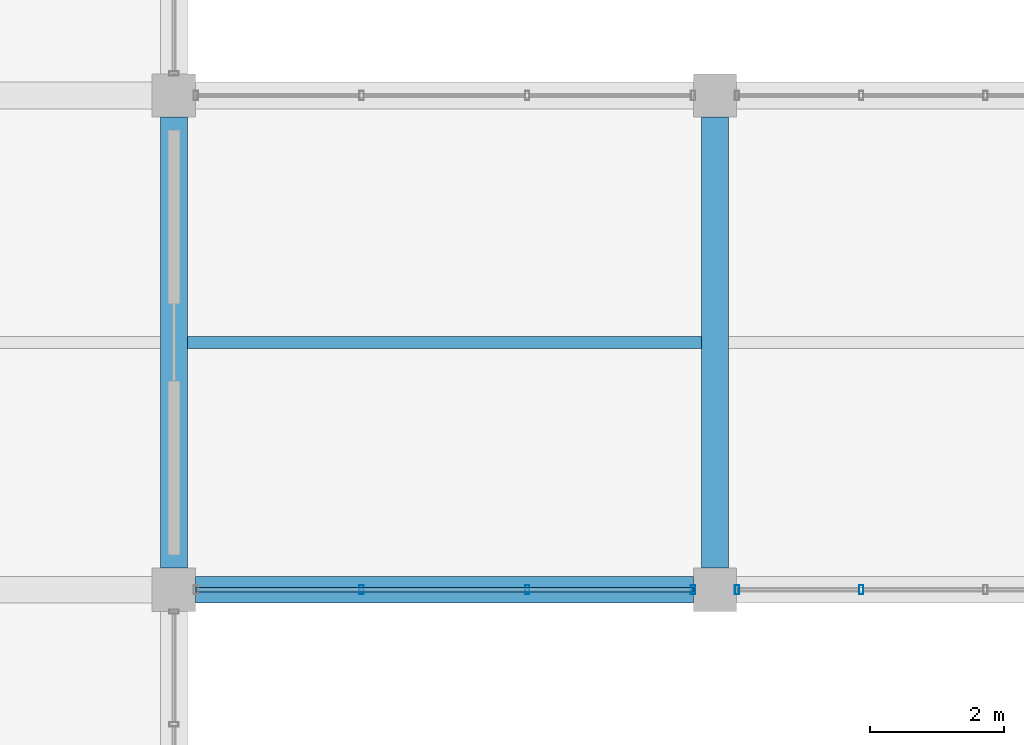
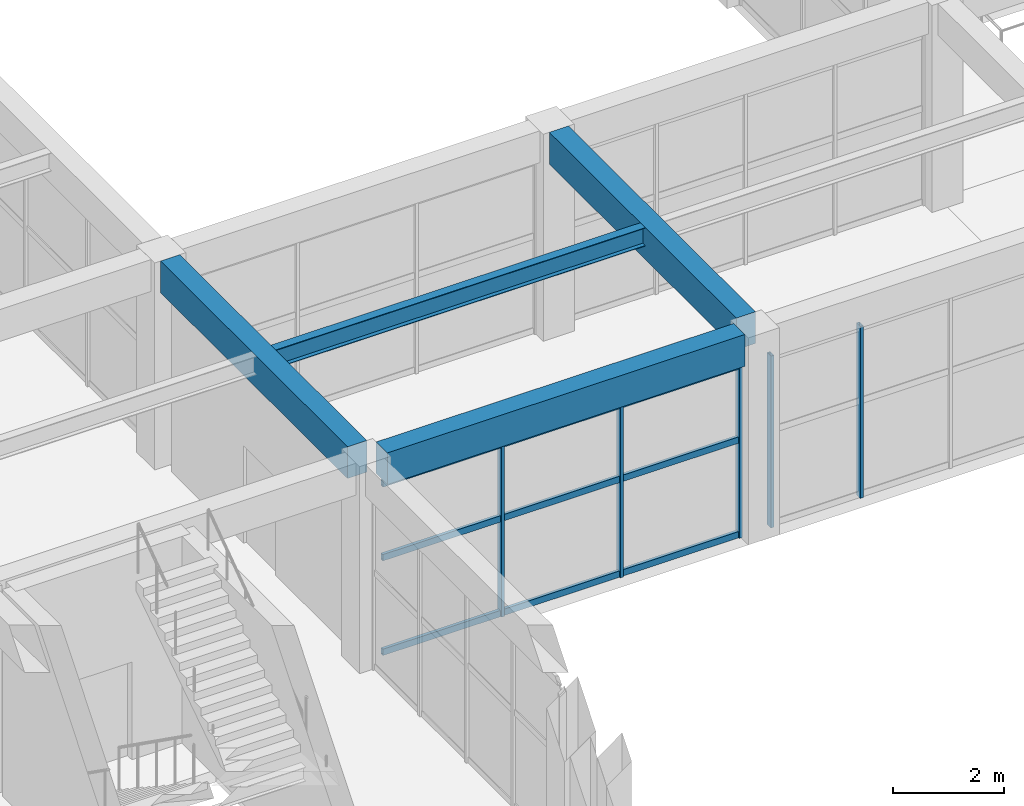
# One storey, part 114 of 161: 8 members, 4 beams, 2 elements without a shape of their own.
"""IFC4 building model written with IfcOpenShell, lengths in metres."""

from ifc_helpers import new_model, si_unit, direction, frame, origin, origin_2d, place, context, subcontext, project, spatial, rectangle, hollow_rectangle, i_section, extrude, material, material_profile, profile_set, type_object, element, aggregate, save


model = new_model("IFC4")

# Units and contexts
model_context = context("Model", 3, precision=1e-05, world=origin(), true_north=direction((0.0, 1.0)))
body_context = subcontext(model_context, "Body", "Model", "MODEL_VIEW")
ifc_project = project(units=[si_unit("LENGTHUNIT", "METRE"), si_unit("AREAUNIT", "SQUARE_METRE"), si_unit("VOLUMEUNIT", "CUBIC_METRE"), si_unit("PLANEANGLEUNIT", "RADIAN"), si_unit("MASSUNIT", "GRAM", prefix="KILO")], contexts=[model_context])

# Site, building, storey
site_placement = place(None, origin())
site = spatial("IfcSite", under=ifc_project, at=site_placement, CompositionType="ELEMENT")
building_placement = place(site_placement, origin())
building = spatial("IfcBuilding", under=site, at=building_placement, Name="Cimatlan Art Gallery", CompositionType="ELEMENT")
storey_placement = place(building_placement, frame((0.0, 0.0, 5.39990234375)))
storey = spatial("IfcBuildingStorey", under=building, at=storey_placement, Name="L01", CompositionType="ELEMENT", Elevation=5.39990234375)

# Beams
ifc_material_1 = material(Name="Concrete C40/50", Category="concrete")
ifc_material_profile_1 = material_profile(ifc_material_1, rectangle(XDim=0.39990234375, YDim=0.699951171875, at=origin_2d()), Name="RC400X700")
ifc_profile_set_1 = profile_set([ifc_material_profile_1], Name="Concrete C40/50")
beam_type_1 = type_object("IfcBeamType", Name="BM-RC-400X700", PredefinedType="BEAM", material=ifc_profile_set_1)
for number, where, z_axis, x_axis, name in (
    (1, (131.60009765625, 53.824951171875, 4.210205078125), (0.0, 1.0, 0.0), (-1.0, 0.0, 0.0), "BM-Y-L01-16-07"),
    (2, (139.699951171875, 53.824951171875, 4.210205078125), (0.0, 1.0, 0.0), (-1.0, 0.0, 0.0), "BM-Y-L01-17-07"),
):
    element("IfcBeam", number, at=place(storey_placement, frame(where, z_axis=z_axis, x_axis=x_axis)), inside=storey, type_object=beam_type_1, Name=name, PredefinedType="BEAM", context=body_context, shape_type="SweptSolid", body=[
        extrude(rectangle(XDim=0.39990234375, YDim=0.699951171875, at=origin_2d()), origin(), (0.0, 0.0, 1.0), 6.75),
    ])
beam_1_placement = place(storey_placement, frame((131.925048828125, 53.5, 4.210205078125), z_axis=(1.0, 0.0, 0.0), x_axis=(0.0, 1.0, 0.0)))
element("IfcBeam", 3, at=beam_1_placement, inside=storey, type_object=beam_type_1, Name="BM-X-L01-16-07", PredefinedType="BEAM", context=body_context, shape_type="SweptSolid", body=[
    extrude(rectangle(XDim=0.39990234375, YDim=0.699951171875, at=origin_2d()), origin(), (0.0, 0.0, 1.0), 7.449951171875),
])
ifc_material_2 = material(Name="Steel ASTM A992 Grade 50", Category="steel")
ifc_material_profile_2 = material_profile(ifc_material_2, i_section(OverallWidth=0.177978515625, OverallDepth=0.406982421875, WebThickness=0.0078125, FlangeThickness=0.0126953125, at=origin_2d()), Name="W16X40")
ifc_profile_set_2 = profile_set([ifc_material_profile_2], Name="Steel ASTM A992 Grade 50")
beam_type_2 = type_object("IfcBeamType", Name="BM-STL-W16X40", PredefinedType="JOIST", material=ifc_profile_set_2)
beam_2_placement = place(storey_placement, frame((131.800048828125, 57.199951171875, 4.356689453125), z_axis=(1.0, 0.0, 0.0), x_axis=(0.0, 1.0, 0.0)))
element("IfcBeam", 4, at=beam_2_placement, inside=storey, type_object=beam_type_2, Name="JST-L01-16-07", PredefinedType="JOIST", context=body_context, shape_type="SweptSolid", body=[
    extrude(i_section(OverallWidth=0.177978515625, OverallDepth=0.406982421875, WebThickness=0.0078125, FlangeThickness=0.0126953125, at=origin_2d()), origin(), (0.0, 0.0, 1.0), 7.699951171875),
])

# Curtain wall, members
ifc_material_3 = material(Name="Anodised bronze unitised curtain wall")
curtain_wall_type_1 = type_object("IfcCurtainWallType", Name="CW-V-07442X03830-B3", PredefinedType="NOTDEFINED", material=ifc_material_3)
curtain_wall_1_placement = place(storey_placement, origin())
curtain_wall_1 = element("IfcCurtainWall", 5, at=curtain_wall_1_placement, inside=storey, type_object=curtain_wall_type_1, Name="CW-L01-16-07-S", PredefinedType="NOTDEFINED")
ifc_material_4 = material(Name="Anodised bronze aluminium 6063-T6", Category="aluminium")
ifc_material_profile_3 = material_profile(ifc_material_4, hollow_rectangle(XDim=0.06494140625, YDim=0.139892578125, WallThickness=0.00390625, at=origin_2d()), Name="ALU65X140X4")
ifc_profile_set_3 = profile_set([ifc_material_profile_3], Name="Anodised bronze aluminium 6063-T6")
member_type_1 = type_object("IfcMemberType", Name="CW-MUL-140", PredefinedType="MULLION", material=ifc_profile_set_3)
member_1_placement = place(storey_placement, frame((139.37109375, 53.5, 0.0), z_axis=(0.0, 0.0, 1.0), x_axis=(1.0, 0.0, 0.0)))
member_1 = element("IfcMember", 6, at=member_1_placement, type_object=member_type_1, Name="CW-L01-16-07-S-M1", PredefinedType="MULLION", context=body_context, shape_type="SweptSolid", body=[
    extrude(hollow_rectangle(XDim=0.06494140625, YDim=0.139892578125, WallThickness=0.00390625, at=origin_2d()), origin(), (0.0, 0.0, 1.0), 3.830078125),
])
member_2_placement = place(storey_placement, frame((136.890380859375, 53.5, 0.0), z_axis=(0.0, 0.0, 1.0), x_axis=(1.0, 0.0, 0.0)))
member_2 = element("IfcMember", 7, at=member_2_placement, type_object=member_type_1, Name="CW-L01-16-07-S-M2", PredefinedType="MULLION", context=body_context, shape_type="SweptSolid", body=[
    extrude(hollow_rectangle(XDim=0.06494140625, YDim=0.139892578125, WallThickness=0.00390625, at=origin_2d()), origin(), (0.0, 0.0, 1.0), 3.830078125),
])
member_3_placement = place(storey_placement, frame((134.40966796875, 53.5, 0.0), z_axis=(0.0, 0.0, 1.0), x_axis=(1.0, 0.0, 0.0)))
member_3 = element("IfcMember", 8, at=member_3_placement, type_object=member_type_1, Name="CW-L01-16-07-S-M3", PredefinedType="MULLION", context=body_context, shape_type="SweptSolid", body=[
    extrude(hollow_rectangle(XDim=0.06494140625, YDim=0.139892578125, WallThickness=0.00390625, at=origin_2d()), origin(), (0.0, 0.0, 1.0), 3.830078125),
])

curtain_wall_type_2 = type_object("IfcCurtainWallType", Name="CW-V-07442X03785-B4", PredefinedType="NOTDEFINED", material=ifc_material_3)
curtain_wall_2_placement = place(storey_placement, origin())
curtain_wall_2 = element("IfcCurtainWall", 9, at=curtain_wall_2_placement, inside=storey, type_object=curtain_wall_type_2, Name="CW-L01-17-07-S", PredefinedType="NOTDEFINED")
member_4_placement = place(storey_placement, frame((141.889404296875, 53.5, 0.0), z_axis=(0.0, 0.0, 1.0), x_axis=(1.0, 0.0, 0.0)))
member_4 = element("IfcMember", 10, at=member_4_placement, type_object=member_type_1, Name="CW-L01-17-07-S-M4", PredefinedType="MULLION", context=body_context, shape_type="SweptSolid", body=[
    extrude(hollow_rectangle(XDim=0.06494140625, YDim=0.139892578125, WallThickness=0.00390625, at=origin_2d()), origin(), (0.0, 0.0, 1.0), 3.78515625),
])
member_5_placement = place(storey_placement, frame((140.029052734375, 53.5, 0.0), z_axis=(0.0, 0.0, 1.0), x_axis=(1.0, 0.0, 0.0)))
member_5 = element("IfcMember", 11, at=member_5_placement, type_object=member_type_1, Name="CW-L01-17-07-S-M5", PredefinedType="MULLION", context=body_context, shape_type="SweptSolid", body=[
    extrude(hollow_rectangle(XDim=0.06494140625, YDim=0.139892578125, WallThickness=0.00390625, at=origin_2d()), origin(), (0.0, 0.0, 1.0), 3.78515625),
])
aggregate(curtain_wall_2, [member_4, member_5])

# Member
ifc_material_profile_4 = material_profile(ifc_material_4, hollow_rectangle(XDim=0.06494140625, YDim=0.139892578125, WallThickness=0.00390625, at=origin_2d()), Name="ALU65X140X4")
ifc_profile_set_4 = profile_set([ifc_material_profile_4], Name="Anodised bronze aluminium 6063-T6")
member_type_2 = type_object("IfcMemberType", Name="CW-TRN-140", PredefinedType="USERDEFINED", material=ifc_profile_set_4)
member_6_placement = place(storey_placement, frame((139.37109375, 53.5, 0.06005859375), z_axis=(-1.0, 0.0, 0.0), x_axis=(0.0, -1.0, 0.0)))
member_6 = element("IfcMember", 12, at=member_6_placement, type_object=member_type_2, Name="CW-L01-16-07-S-T1", ObjectType="TRANSOM", PredefinedType="USERDEFINED", context=body_context, shape_type="SweptSolid", body=[
    extrude(hollow_rectangle(XDim=0.06494140625, YDim=0.139892578125, WallThickness=0.00390625, at=origin_2d()), origin(), (0.0, 0.0, 1.0), 7.442138671875),
])

member_7_placement = place(storey_placement, frame((139.37109375, 53.5, 2.14501953125), z_axis=(-1.0, 0.0, 0.0), x_axis=(0.0, -1.0, 0.0)))
member_7 = element("IfcMember", 13, at=member_7_placement, type_object=member_type_2, Name="CW-L01-16-07-S-T2", ObjectType="TRANSOM", PredefinedType="USERDEFINED", context=body_context, shape_type="SweptSolid", body=[
    extrude(hollow_rectangle(XDim=0.06494140625, YDim=0.139892578125, WallThickness=0.00390625, at=origin_2d()), origin(), (0.0, 0.0, 1.0), 7.442138671875),
])

member_8_placement = place(storey_placement, frame((139.37109375, 53.5, 3.77001953125), z_axis=(-1.0, 0.0, 0.0), x_axis=(0.0, -1.0, 0.0)))
member_8 = element("IfcMember", 14, at=member_8_placement, type_object=member_type_2, Name="CW-L01-16-07-S-T3", ObjectType="TRANSOM", PredefinedType="USERDEFINED", context=body_context, shape_type="SweptSolid", body=[
    extrude(hollow_rectangle(XDim=0.06494140625, YDim=0.139892578125, WallThickness=0.00390625, at=origin_2d()), origin(), (0.0, 0.0, 1.0), 7.442138671875),
])

aggregate(curtain_wall_1, [member_1, member_2, member_3, member_6, member_7, member_8])

save(model, "model.ifc")
